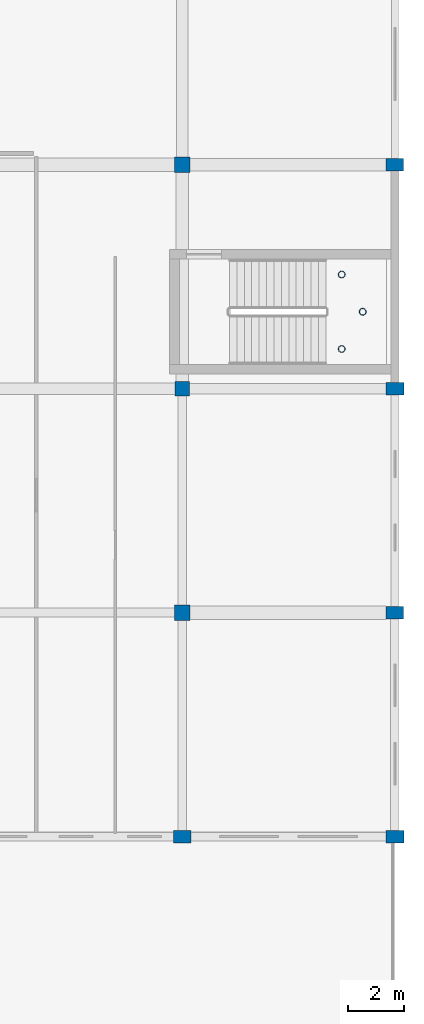
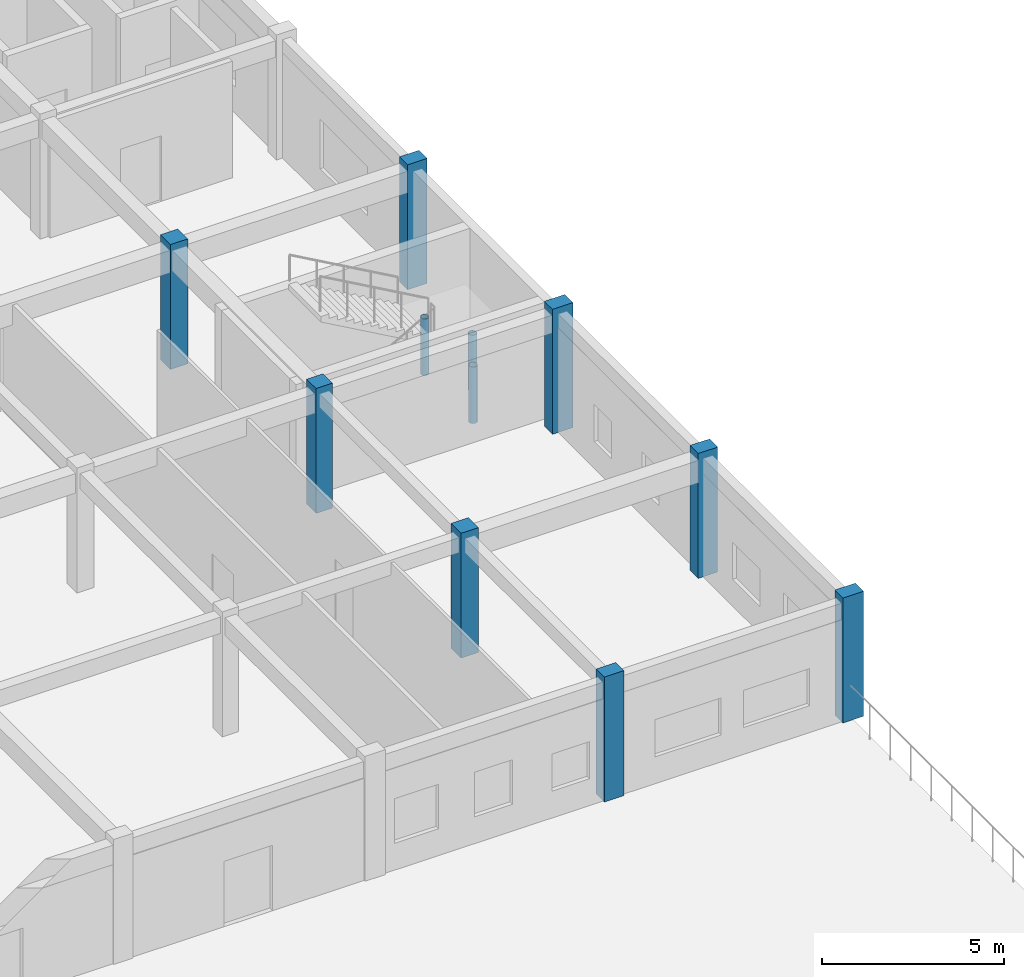
# One storey, part 5 of 19: 11 columns.
"""IFC4 building model written with IfcOpenShell, lengths in metres."""

from ifc_helpers import new_model, si_unit, direction, frame, origin, origin_2d, place, context, subcontext, project, spatial, rectangle, hollow_circle, extrude, material, material_profile, profile_set, type_object, element, save


model = new_model("IFC4")

# Units and contexts
model_context = context("Model", 3, precision=1e-05, world=origin(), true_north=direction((0.0, 1.0)))
body_context = subcontext(model_context, "Body", "Model", "MODEL_VIEW")
ifc_project = project(units=[si_unit("LENGTHUNIT", "METRE"), si_unit("AREAUNIT", "SQUARE_METRE"), si_unit("VOLUMEUNIT", "CUBIC_METRE"), si_unit("PLANEANGLEUNIT", "RADIAN"), si_unit("MASSUNIT", "GRAM", prefix="KILO")], contexts=[model_context])

# Site, building, storey
site_placement = place(None, origin())
site = spatial("IfcSite", under=ifc_project, at=site_placement, CompositionType="ELEMENT")
building_placement = place(site_placement, origin())
building = spatial("IfcBuilding", under=site, at=building_placement, Name="Kharva Crest Polytechnic", CompositionType="ELEMENT")
storey_placement = place(building_placement, frame((0.0, 0.0, 21.60009765625)))
storey = spatial("IfcBuildingStorey", under=building, at=storey_placement, Name="L05", CompositionType="ELEMENT", Elevation=21.60009765625)

# Columns
ifc_material_1 = material(Name="Concrete C40/50", Category="concrete")
ifc_material_profile_1 = material_profile(ifc_material_1, rectangle(XDim=0.6201171875, YDim=0.449951171875, at=origin_2d()), Name="RECT 620 X 450")
ifc_profile_set_1 = profile_set([ifc_material_profile_1], Name="Concrete C40/50")
column_type_1 = type_object("IfcColumnType", Name="COL-EXT-620X450", PredefinedType="COLUMN", material=ifc_profile_set_1)
for number, where, z_axis, x_axis, name in (
    (1, (176.39990234375, 54.800048828125, 0.0), (0.0, 0.0, 1.0), (1.0, 0.0, 0.0), "L05 Column 23/H"),
    (2, (184.0, 62.800048828125, 0.0), (0.0, 0.0, 1.0), (1.0, 0.0, 0.0), "L05 Column 24/J"),
    (3, (184.0, 78.800048828125, 0.0), (0.0, 0.0, 1.0), (1.0, 0.0, 0.0), "L05 Column 24/L"),
):
    element("IfcColumn", number, at=place(storey_placement, frame(where, z_axis=z_axis, x_axis=x_axis)), inside=storey, type_object=column_type_1, Name=name, PredefinedType="COLUMN", context=body_context, shape_type="SweptSolid", body=[
        extrude(rectangle(XDim=0.6201171875, YDim=0.449951171875, at=origin_2d()), origin(), (0.0, 0.0, 1.0), 4.199951171875),
    ])
ifc_material_profile_2 = material_profile(ifc_material_1, rectangle(XDim=0.64990234375, YDim=0.449951171875, at=origin_2d()), Name="RECT 650 X 450")
ifc_profile_set_2 = profile_set([ifc_material_profile_2], Name="Concrete C40/50")
column_type_2 = type_object("IfcColumnType", Name="COL-EXT-650X450", PredefinedType="COLUMN", material=ifc_profile_set_2)
for number, where, z_axis, x_axis, name in (
    (4, (184.0, 54.800048828125, 0.0), (0.0, 0.0, 1.0), (1.0, 0.0, 0.0), "L05 Column 24/H"),
    (5, (184.0, 70.800048828125, 0.0), (0.0, 0.0, 1.0), (1.0, 0.0, 0.0), "L05 Column 24/K"),
):
    element("IfcColumn", number, at=place(storey_placement, frame(where, z_axis=z_axis, x_axis=x_axis)), inside=storey, type_object=column_type_2, Name=name, PredefinedType="COLUMN", context=body_context, shape_type="SweptSolid", body=[
        extrude(rectangle(XDim=0.64990234375, YDim=0.449951171875, at=origin_2d()), origin(), (0.0, 0.0, 1.0), 4.199951171875),
    ])
ifc_material_profile_3 = material_profile(ifc_material_1, rectangle(XDim=0.52001953125, YDim=0.52001953125, at=origin_2d()), Name="RECT 520 X 520")
ifc_profile_set_3 = profile_set([ifc_material_profile_3], Name="Concrete C40/50")
column_type_3 = type_object("IfcColumnType", Name="COL-INT-520X520", PredefinedType="COLUMN", material=ifc_profile_set_3)
column_placement = place(storey_placement, frame((176.39990234375, 70.800048828125, 0.0), z_axis=(0.0, 0.0, 1.0), x_axis=(1.0, 0.0, 0.0)))
element("IfcColumn", 6, at=column_placement, inside=storey, type_object=column_type_3, Name="L05 Column 23/K", PredefinedType="COLUMN", context=body_context, shape_type="SweptSolid", body=[
    extrude(rectangle(XDim=0.52001953125, YDim=0.52001953125, at=origin_2d()), origin(), (0.0, 0.0, 1.0), 4.199951171875),
])
ifc_material_profile_4 = material_profile(ifc_material_1, rectangle(XDim=0.550048828125, YDim=0.550048828125, at=origin_2d()), Name="RECT 550 X 550")
ifc_profile_set_4 = profile_set([ifc_material_profile_4], Name="Concrete C40/50")
column_type_4 = type_object("IfcColumnType", Name="COL-INT-550X550", PredefinedType="COLUMN", material=ifc_profile_set_4)
for number, where, z_axis, x_axis, name in (
    (7, (176.39990234375, 62.800048828125, 0.0), (0.0, 0.0, 1.0), (1.0, 0.0, 0.0), "L05 Column 23/J"),
    (8, (176.39990234375, 78.800048828125, 0.0), (0.0, 0.0, 1.0), (1.0, 0.0, 0.0), "L05 Column 23/L"),
):
    element("IfcColumn", number, at=place(storey_placement, frame(where, z_axis=z_axis, x_axis=x_axis)), inside=storey, type_object=column_type_4, Name=name, PredefinedType="COLUMN", context=body_context, shape_type="SweptSolid", body=[
        extrude(rectangle(XDim=0.550048828125, YDim=0.550048828125, at=origin_2d()), origin(), (0.0, 0.0, 1.0), 4.199951171875),
    ])
ifc_material_2 = material(Name="Steel S355", Category="steel")
ifc_material_profile_5 = material_profile(ifc_material_2, hollow_circle(Radius=0.122314453125, WallThickness=0.010009765625, at=origin_2d()), Name="CHS 244.5X10.0")
ifc_profile_set_5 = profile_set([ifc_material_profile_5], Name="Steel S355")
column_type_5 = type_object("IfcColumnType", Name="COL-STL-CHS244", PredefinedType="COLUMN", material=ifc_profile_set_5)
for number, where, z_axis, x_axis, name in (
    (9, (182.10009765625, 72.219970703125, 0.0), (0.0, 0.0, 1.0), (1.0, 0.0, 0.0), "L05 Stair ST-05 Landing Support Column SW"),
    (10, (182.10009765625, 74.8798828125, 0.0), (0.0, 0.0, 1.0), (1.0, 0.0, 0.0), "L05 Stair ST-05 Landing Support Column NW"),
    (11, (182.85009765625, 73.550048828125, 0.0), (0.0, 0.0, 1.0), (1.0, 0.0, 0.0), "L05 Stair ST-05 Landing Support Column EM"),
):
    element("IfcColumn", number, at=place(storey_placement, frame(where, z_axis=z_axis, x_axis=x_axis)), inside=storey, type_object=column_type_5, Name=name, PredefinedType="COLUMN", context=body_context, shape_type="SweptSolid", body=[
        extrude(hollow_circle(Radius=0.122314453125, WallThickness=0.010009765625, at=origin_2d()), origin(), (0.0, 0.0, 1.0), 1.89990234375),
    ])

save(model, "model.ifc")
